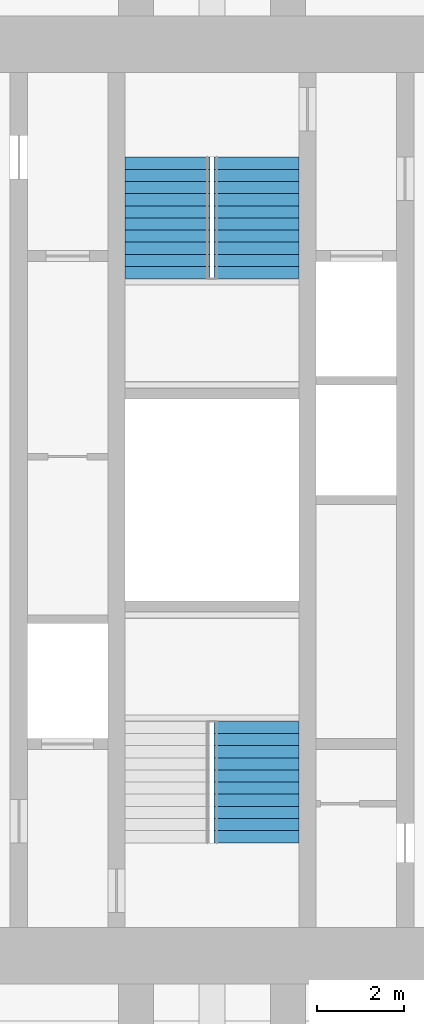
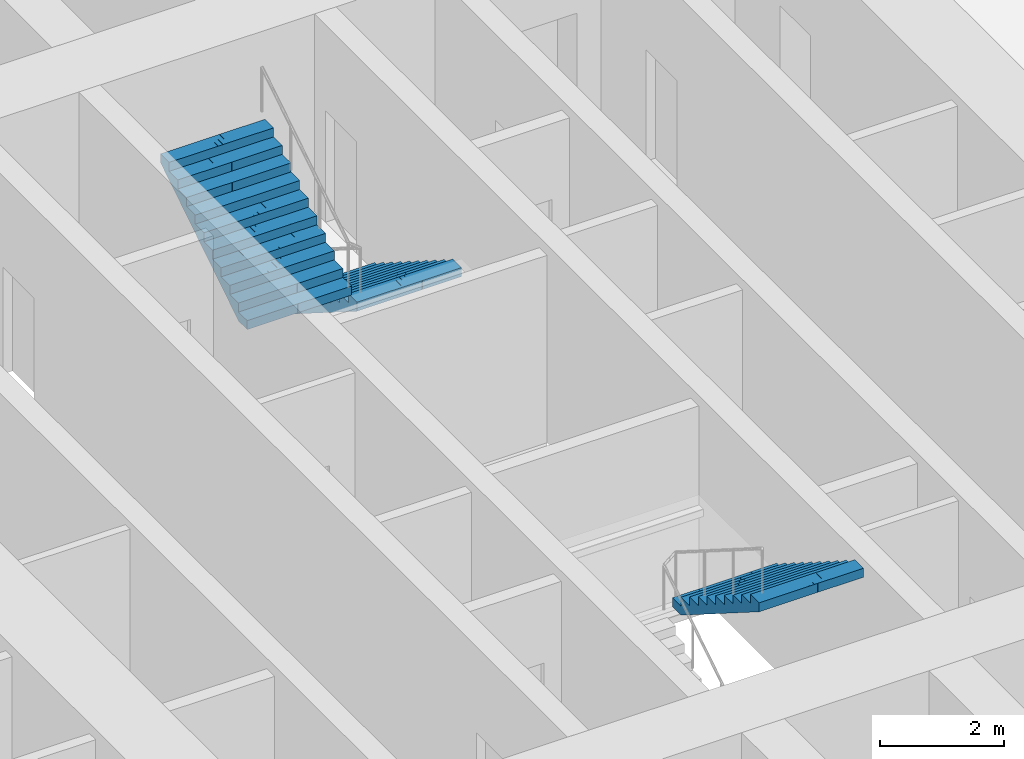
# One storey, part 16 of 17: 3 stair flights, 2 elements without a shape of their own.
"""IFC4 building model written with IfcOpenShell, lengths in metres."""

from ifc_helpers import new_model, si_unit, direction, frame, origin, place, context, subcontext, project, spatial, polyline, outline, extrude, material, type_object, element, aggregate, save


model = new_model("IFC4")

# Units and contexts
model_context = context("Model", 3, precision=1e-05, world=origin(), true_north=direction((0.0, 1.0)))
body_context = subcontext(model_context, "Body", "Model", "MODEL_VIEW")
ifc_project = project(units=[si_unit("LENGTHUNIT", "METRE"), si_unit("AREAUNIT", "SQUARE_METRE"), si_unit("VOLUMEUNIT", "CUBIC_METRE"), si_unit("PLANEANGLEUNIT", "RADIAN"), si_unit("MASSUNIT", "GRAM", prefix="KILO")], contexts=[model_context])

# Site, building, storey
site_placement = place(None, origin())
site = spatial("IfcSite", under=ifc_project, at=site_placement, CompositionType="ELEMENT")
building_placement = place(site_placement, origin())
building = spatial("IfcBuilding", under=site, at=building_placement, Name="Mizan Broadcast Tower", CompositionType="ELEMENT")
storey_placement = place(building_placement, frame((0.0, 0.0, 224.39990234375)))
storey = spatial("IfcBuildingStorey", under=building, at=storey_placement, Name="L52", CompositionType="ELEMENT", Elevation=224.39990234375)

# Stair, stair flight
ifc_material_1 = material(Name="Concrete C40/50", Category="concrete")
stair_type = type_object("IfcStairType", Name="EXIT STAIR", PredefinedType="HALF_TURN_STAIR", material=ifc_material_1)
stair_1_placement = place(storey_placement, origin())
stair_1 = element("IfcStair", 1, at=stair_1_placement, inside=storey, type_object=stair_type, Name="Stair A L52", PredefinedType="HALF_TURN_STAIR")
ifc_material_2 = material(Name="Concrete C40/50", Category="concrete")
stair_flight_type = type_object("IfcStairFlightType", Name="EXIT STAIR FLIGHT", PredefinedType="STRAIGHT", material=ifc_material_2)
stair_flight_1_placement = place(storey_placement, frame((1.02490234375, -5.10009765625, 1.9501953125), z_axis=(0.0, 0.0, 1.0), x_axis=(0.0, -1.0, 0.0)))
stair_flight_1 = element("IfcStairFlight", 2, at=stair_flight_1_placement, type_object=stair_flight_type, Name="A flight 2", NumberOfRisers=11, NumberOfTreads=10, PredefinedType="STRAIGHT", RiserHeight=0.177272727, TreadLength=0.28, context=body_context, shape_type="SweptSolid", body=[
    extrude(outline(polyline([(0.0, 0.0), (0.0, 0.17724609375), (0.280029296875, 0.17724609375), (0.280029296875, 0.3544921875), (0.56005859375, 0.3544921875), (0.56005859375, 0.53173828125), (0.840087890625, 0.53173828125), (0.840087890625, 0.708984375), (1.1201171875, 0.708984375), (1.1201171875, 0.886474609375), (1.39990234375, 0.886474609375), (1.39990234375, 1.063720703125), (1.679931640625, 1.063720703125), (1.679931640625, 1.240966796875), (1.9599609375, 1.240966796875), (1.9599609375, 1.418212890625), (2.239990234375, 1.418212890625), (2.239990234375, 1.595458984375), (2.52001953125, 1.595458984375), (2.52001953125, 1.772705078125), (2.800048828125, 1.772705078125), (2.800048828125, 1.949951171875), (2.800048828125, 1.59521484375), (0.2802734375, 0.0), (0.0, 0.0)])), frame((0.0, 0.97509765625, 0.0), z_axis=(0.0, -1.0, 0.0), x_axis=(1.0, 0.0, 0.0)), (0.0, 0.0, 1.0), 0.4873046875),
    extrude(outline(polyline([(0.0, 0.0), (0.0, 0.17724609375), (0.280029296875, 0.17724609375), (0.280029296875, 0.3544921875), (0.56005859375, 0.3544921875), (0.56005859375, 0.53173828125), (0.840087890625, 0.53173828125), (0.840087890625, 0.708984375), (1.1201171875, 0.708984375), (1.1201171875, 0.886474609375), (1.39990234375, 0.886474609375), (1.39990234375, 1.063720703125), (1.679931640625, 1.063720703125), (1.679931640625, 1.240966796875), (1.9599609375, 1.240966796875), (1.9599609375, 1.418212890625), (2.239990234375, 1.418212890625), (2.239990234375, 1.595458984375), (2.52001953125, 1.595458984375), (2.52001953125, 1.772705078125), (2.800048828125, 1.772705078125), (2.800048828125, 1.949951171875), (2.800048828125, 1.59521484375), (0.2802734375, 0.0), (0.0, 0.0)])), frame((0.0, 0.4873046875, 0.0), z_axis=(0.0, -1.0, 0.0), x_axis=(1.0, 0.0, 0.0)), (0.0, 0.0, 1.0), 0.2431640625),
    extrude(outline(polyline([(0.0, 0.0), (0.0, 0.17724609375), (0.280029296875, 0.17724609375), (0.280029296875, 0.3544921875), (0.56005859375, 0.3544921875), (0.56005859375, 0.53173828125), (0.840087890625, 0.53173828125), (0.840087890625, 0.708984375), (1.1201171875, 0.708984375), (1.1201171875, 0.886474609375), (1.39990234375, 0.886474609375), (1.39990234375, 1.063720703125), (1.679931640625, 1.063720703125), (1.679931640625, 1.240966796875), (1.9599609375, 1.240966796875), (1.9599609375, 1.418212890625), (2.239990234375, 1.418212890625), (2.239990234375, 1.595458984375), (2.52001953125, 1.595458984375), (2.52001953125, 1.772705078125), (2.800048828125, 1.772705078125), (2.800048828125, 1.949951171875), (2.800048828125, 1.59521484375), (0.2802734375, 0.0), (0.0, 0.0)])), frame((0.0, 0.24365234375, 0.0), z_axis=(0.0, -1.0, 0.0), x_axis=(1.0, 0.0, 0.0)), (0.0, 0.0, 1.0), 0.121337890625),
    extrude(outline(polyline([(0.0, 0.0), (0.0, 0.17724609375), (0.280029296875, 0.17724609375), (0.280029296875, 0.3544921875), (0.56005859375, 0.3544921875), (0.56005859375, 0.53173828125), (0.840087890625, 0.53173828125), (0.840087890625, 0.708984375), (1.1201171875, 0.708984375), (1.1201171875, 0.886474609375), (1.39990234375, 0.886474609375), (1.39990234375, 1.063720703125), (1.679931640625, 1.063720703125), (1.679931640625, 1.240966796875), (1.9599609375, 1.240966796875), (1.9599609375, 1.418212890625), (2.239990234375, 1.418212890625), (2.239990234375, 1.595458984375), (2.52001953125, 1.595458984375), (2.52001953125, 1.772705078125), (2.800048828125, 1.772705078125), (2.800048828125, 1.949951171875), (2.800048828125, 1.59521484375), (0.2802734375, 0.0), (0.0, 0.0)])), frame((0.0, 0.121826171875, 0.0), z_axis=(0.0, -1.0, 0.0), x_axis=(1.0, 0.0, 0.0)), (0.0, 0.0, 1.0), 0.060546875),
    extrude(outline(polyline([(0.0, 0.0), (0.0, 0.17724609375), (0.280029296875, 0.17724609375), (0.280029296875, 0.3544921875), (0.56005859375, 0.3544921875), (0.56005859375, 0.53173828125), (0.840087890625, 0.53173828125), (0.840087890625, 0.708984375), (1.1201171875, 0.708984375), (1.1201171875, 0.886474609375), (1.39990234375, 0.886474609375), (1.39990234375, 1.063720703125), (1.679931640625, 1.063720703125), (1.679931640625, 1.240966796875), (1.9599609375, 1.240966796875), (1.9599609375, 1.418212890625), (2.239990234375, 1.418212890625), (2.239990234375, 1.595458984375), (2.52001953125, 1.595458984375), (2.52001953125, 1.772705078125), (2.800048828125, 1.772705078125), (2.800048828125, 1.949951171875), (2.800048828125, 1.59521484375), (0.2802734375, 0.0), (0.0, 0.0)])), frame((0.0, 0.060791015625, 0.0), z_axis=(0.0, -1.0, 0.0), x_axis=(1.0, 0.0, 0.0)), (0.0, 0.0, 1.0), 0.030029296875),
    extrude(outline(polyline([(0.0, 0.0), (0.0, 0.17724609375), (0.280029296875, 0.17724609375), (0.280029296875, 0.3544921875), (0.56005859375, 0.3544921875), (0.56005859375, 0.53173828125), (0.840087890625, 0.53173828125), (0.840087890625, 0.708984375), (1.1201171875, 0.708984375), (1.1201171875, 0.886474609375), (1.39990234375, 0.886474609375), (1.39990234375, 1.063720703125), (1.679931640625, 1.063720703125), (1.679931640625, 1.240966796875), (1.9599609375, 1.240966796875), (1.9599609375, 1.418212890625), (2.239990234375, 1.418212890625), (2.239990234375, 1.595458984375), (2.52001953125, 1.595458984375), (2.52001953125, 1.772705078125), (2.800048828125, 1.772705078125), (2.800048828125, 1.949951171875), (2.800048828125, 1.59521484375), (0.2802734375, 0.0), (0.0, 0.0)])), frame((0.0, 0.0302734375, 0.0), z_axis=(0.0, -1.0, 0.0), x_axis=(1.0, 0.0, 0.0)), (0.0, 0.0, 1.0), 0.060302734375),
    extrude(outline(polyline([(0.0, 0.0), (0.0, 0.17724609375), (0.280029296875, 0.17724609375), (0.280029296875, 0.3544921875), (0.56005859375, 0.3544921875), (0.56005859375, 0.53173828125), (0.840087890625, 0.53173828125), (0.840087890625, 0.708984375), (1.1201171875, 0.708984375), (1.1201171875, 0.886474609375), (1.39990234375, 0.886474609375), (1.39990234375, 1.063720703125), (1.679931640625, 1.063720703125), (1.679931640625, 1.240966796875), (1.9599609375, 1.240966796875), (1.9599609375, 1.418212890625), (2.239990234375, 1.418212890625), (2.239990234375, 1.595458984375), (2.52001953125, 1.595458984375), (2.52001953125, 1.772705078125), (2.800048828125, 1.772705078125), (2.800048828125, 1.949951171875), (2.800048828125, 1.59521484375), (0.2802734375, 0.0), (0.0, 0.0)])), frame((0.0, -0.030517578125, 0.0), z_axis=(0.0, -1.0, 0.0), x_axis=(1.0, 0.0, 0.0)), (0.0, 0.0, 1.0), 0.030029296875),
    extrude(outline(polyline([(0.0, 0.0), (0.0, 0.17724609375), (0.280029296875, 0.17724609375), (0.280029296875, 0.3544921875), (0.56005859375, 0.3544921875), (0.56005859375, 0.53173828125), (0.840087890625, 0.53173828125), (0.840087890625, 0.708984375), (1.1201171875, 0.708984375), (1.1201171875, 0.886474609375), (1.39990234375, 0.886474609375), (1.39990234375, 1.063720703125), (1.679931640625, 1.063720703125), (1.679931640625, 1.240966796875), (1.9599609375, 1.240966796875), (1.9599609375, 1.418212890625), (2.239990234375, 1.418212890625), (2.239990234375, 1.595458984375), (2.52001953125, 1.595458984375), (2.52001953125, 1.772705078125), (2.800048828125, 1.772705078125), (2.800048828125, 1.949951171875), (2.800048828125, 1.59521484375), (0.2802734375, 0.0), (0.0, 0.0)])), frame((0.0, -0.06103515625, 0.0), z_axis=(0.0, -1.0, 0.0), x_axis=(1.0, 0.0, 0.0)), (0.0, 0.0, 1.0), 0.060546875),
    extrude(outline(polyline([(0.0, 0.0), (0.0, 0.17724609375), (0.280029296875, 0.17724609375), (0.280029296875, 0.3544921875), (0.56005859375, 0.3544921875), (0.56005859375, 0.53173828125), (0.840087890625, 0.53173828125), (0.840087890625, 0.708984375), (1.1201171875, 0.708984375), (1.1201171875, 0.886474609375), (1.39990234375, 0.886474609375), (1.39990234375, 1.063720703125), (1.679931640625, 1.063720703125), (1.679931640625, 1.240966796875), (1.9599609375, 1.240966796875), (1.9599609375, 1.418212890625), (2.239990234375, 1.418212890625), (2.239990234375, 1.595458984375), (2.52001953125, 1.595458984375), (2.52001953125, 1.772705078125), (2.800048828125, 1.772705078125), (2.800048828125, 1.949951171875), (2.800048828125, 1.59521484375), (0.2802734375, 0.0), (0.0, 0.0)])), frame((0.0, -0.1220703125, 0.0), z_axis=(0.0, -1.0, 0.0), x_axis=(1.0, 0.0, 0.0)), (0.0, 0.0, 1.0), 0.121337890625),
    extrude(outline(polyline([(0.0, 0.0), (0.0, 0.17724609375), (0.280029296875, 0.17724609375), (0.280029296875, 0.3544921875), (0.56005859375, 0.3544921875), (0.56005859375, 0.53173828125), (0.840087890625, 0.53173828125), (0.840087890625, 0.708984375), (1.1201171875, 0.708984375), (1.1201171875, 0.886474609375), (1.39990234375, 0.886474609375), (1.39990234375, 1.063720703125), (1.679931640625, 1.063720703125), (1.679931640625, 1.240966796875), (1.9599609375, 1.240966796875), (1.9599609375, 1.418212890625), (2.239990234375, 1.418212890625), (2.239990234375, 1.595458984375), (2.52001953125, 1.595458984375), (2.52001953125, 1.772705078125), (2.800048828125, 1.772705078125), (2.800048828125, 1.949951171875), (2.800048828125, 1.59521484375), (0.2802734375, 0.0), (0.0, 0.0)])), frame((0.0, -0.243896484375, 0.0), z_axis=(0.0, -1.0, 0.0), x_axis=(1.0, 0.0, 0.0)), (0.0, 0.0, 1.0), 0.2431640625),
    extrude(outline(polyline([(0.0, 0.0), (0.0, 0.17724609375), (0.280029296875, 0.17724609375), (0.280029296875, 0.3544921875), (0.56005859375, 0.3544921875), (0.56005859375, 0.53173828125), (0.840087890625, 0.53173828125), (0.840087890625, 0.708984375), (1.1201171875, 0.708984375), (1.1201171875, 0.886474609375), (1.39990234375, 0.886474609375), (1.39990234375, 1.063720703125), (1.679931640625, 1.063720703125), (1.679931640625, 1.240966796875), (1.9599609375, 1.240966796875), (1.9599609375, 1.418212890625), (2.239990234375, 1.418212890625), (2.239990234375, 1.595458984375), (2.52001953125, 1.595458984375), (2.52001953125, 1.772705078125), (2.800048828125, 1.772705078125), (2.800048828125, 1.949951171875), (2.800048828125, 1.59521484375), (0.2802734375, 0.0), (0.0, 0.0)])), frame((0.0, -0.487548828125, 0.0), z_axis=(0.0, -1.0, 0.0), x_axis=(1.0, 0.0, 0.0)), (0.0, 0.0, 1.0), 0.4873046875),
])
aggregate(stair_1, [stair_flight_1])

# Stair, stair flights
stair_2_placement = place(storey_placement, origin())
stair_2 = element("IfcStair", 3, at=stair_2_placement, inside=storey, type_object=stair_type, Name="Stair B L52", PredefinedType="HALF_TURN_STAIR")
stair_flight_2_placement = place(storey_placement, frame((1.02490234375, 7.89990234375, 0.0), z_axis=(0.0, 0.0, 1.0), x_axis=(0.0, -1.0, 0.0)))
stair_flight_2 = element("IfcStairFlight", 4, at=stair_flight_2_placement, type_object=stair_flight_type, Name="B flight 1", NumberOfRisers=11, NumberOfTreads=10, PredefinedType="STRAIGHT", RiserHeight=0.177272727, TreadLength=0.28, context=body_context, shape_type="SweptSolid", body=[
    extrude(outline(polyline([(0.0, 0.0), (0.0, 0.17724609375), (0.280029296875, 0.17724609375), (0.280029296875, 0.3544921875), (0.56005859375, 0.3544921875), (0.56005859375, 0.53173828125), (0.840087890625, 0.53173828125), (0.840087890625, 0.708984375), (1.1201171875, 0.708984375), (1.1201171875, 0.886474609375), (1.39990234375, 0.886474609375), (1.39990234375, 1.063720703125), (1.679931640625, 1.063720703125), (1.679931640625, 1.240966796875), (1.9599609375, 1.240966796875), (1.9599609375, 1.418212890625), (2.239990234375, 1.418212890625), (2.239990234375, 1.595458984375), (2.52001953125, 1.595458984375), (2.52001953125, 1.772705078125), (2.800048828125, 1.772705078125), (2.800048828125, 1.949951171875), (2.800048828125, 1.59521484375), (0.2802734375, 0.0), (0.0, 0.0)])), frame((0.0, 0.97509765625, 0.0), z_axis=(0.0, -1.0, 0.0), x_axis=(1.0, 0.0, 0.0)), (0.0, 0.0, 1.0), 0.4873046875),
    extrude(outline(polyline([(0.0, 0.0), (0.0, 0.17724609375), (0.280029296875, 0.17724609375), (0.280029296875, 0.3544921875), (0.56005859375, 0.3544921875), (0.56005859375, 0.53173828125), (0.840087890625, 0.53173828125), (0.840087890625, 0.708984375), (1.1201171875, 0.708984375), (1.1201171875, 0.886474609375), (1.39990234375, 0.886474609375), (1.39990234375, 1.063720703125), (1.679931640625, 1.063720703125), (1.679931640625, 1.240966796875), (1.9599609375, 1.240966796875), (1.9599609375, 1.418212890625), (2.239990234375, 1.418212890625), (2.239990234375, 1.595458984375), (2.52001953125, 1.595458984375), (2.52001953125, 1.772705078125), (2.800048828125, 1.772705078125), (2.800048828125, 1.949951171875), (2.800048828125, 1.59521484375), (0.2802734375, 0.0), (0.0, 0.0)])), frame((0.0, 0.4873046875, 0.0), z_axis=(0.0, -1.0, 0.0), x_axis=(1.0, 0.0, 0.0)), (0.0, 0.0, 1.0), 0.2431640625),
    extrude(outline(polyline([(0.0, 0.0), (0.0, 0.17724609375), (0.280029296875, 0.17724609375), (0.280029296875, 0.3544921875), (0.56005859375, 0.3544921875), (0.56005859375, 0.53173828125), (0.840087890625, 0.53173828125), (0.840087890625, 0.708984375), (1.1201171875, 0.708984375), (1.1201171875, 0.886474609375), (1.39990234375, 0.886474609375), (1.39990234375, 1.063720703125), (1.679931640625, 1.063720703125), (1.679931640625, 1.240966796875), (1.9599609375, 1.240966796875), (1.9599609375, 1.418212890625), (2.239990234375, 1.418212890625), (2.239990234375, 1.595458984375), (2.52001953125, 1.595458984375), (2.52001953125, 1.772705078125), (2.800048828125, 1.772705078125), (2.800048828125, 1.949951171875), (2.800048828125, 1.59521484375), (0.2802734375, 0.0), (0.0, 0.0)])), frame((0.0, 0.24365234375, 0.0), z_axis=(0.0, -1.0, 0.0), x_axis=(1.0, 0.0, 0.0)), (0.0, 0.0, 1.0), 0.121337890625),
    extrude(outline(polyline([(0.0, 0.0), (0.0, 0.17724609375), (0.280029296875, 0.17724609375), (0.280029296875, 0.3544921875), (0.56005859375, 0.3544921875), (0.56005859375, 0.53173828125), (0.840087890625, 0.53173828125), (0.840087890625, 0.708984375), (1.1201171875, 0.708984375), (1.1201171875, 0.886474609375), (1.39990234375, 0.886474609375), (1.39990234375, 1.063720703125), (1.679931640625, 1.063720703125), (1.679931640625, 1.240966796875), (1.9599609375, 1.240966796875), (1.9599609375, 1.418212890625), (2.239990234375, 1.418212890625), (2.239990234375, 1.595458984375), (2.52001953125, 1.595458984375), (2.52001953125, 1.772705078125), (2.800048828125, 1.772705078125), (2.800048828125, 1.949951171875), (2.800048828125, 1.59521484375), (0.2802734375, 0.0), (0.0, 0.0)])), frame((0.0, 0.121826171875, 0.0), z_axis=(0.0, -1.0, 0.0), x_axis=(1.0, 0.0, 0.0)), (0.0, 0.0, 1.0), 0.060546875),
    extrude(outline(polyline([(0.0, 0.0), (0.0, 0.17724609375), (0.280029296875, 0.17724609375), (0.280029296875, 0.3544921875), (0.56005859375, 0.3544921875), (0.56005859375, 0.53173828125), (0.840087890625, 0.53173828125), (0.840087890625, 0.708984375), (1.1201171875, 0.708984375), (1.1201171875, 0.886474609375), (1.39990234375, 0.886474609375), (1.39990234375, 1.063720703125), (1.679931640625, 1.063720703125), (1.679931640625, 1.240966796875), (1.9599609375, 1.240966796875), (1.9599609375, 1.418212890625), (2.239990234375, 1.418212890625), (2.239990234375, 1.595458984375), (2.52001953125, 1.595458984375), (2.52001953125, 1.772705078125), (2.800048828125, 1.772705078125), (2.800048828125, 1.949951171875), (2.800048828125, 1.59521484375), (0.2802734375, 0.0), (0.0, 0.0)])), frame((0.0, 0.060791015625, 0.0), z_axis=(0.0, -1.0, 0.0), x_axis=(1.0, 0.0, 0.0)), (0.0, 0.0, 1.0), 0.030029296875),
    extrude(outline(polyline([(0.0, 0.0), (0.0, 0.17724609375), (0.280029296875, 0.17724609375), (0.280029296875, 0.3544921875), (0.56005859375, 0.3544921875), (0.56005859375, 0.53173828125), (0.840087890625, 0.53173828125), (0.840087890625, 0.708984375), (1.1201171875, 0.708984375), (1.1201171875, 0.886474609375), (1.39990234375, 0.886474609375), (1.39990234375, 1.063720703125), (1.679931640625, 1.063720703125), (1.679931640625, 1.240966796875), (1.9599609375, 1.240966796875), (1.9599609375, 1.418212890625), (2.239990234375, 1.418212890625), (2.239990234375, 1.595458984375), (2.52001953125, 1.595458984375), (2.52001953125, 1.772705078125), (2.800048828125, 1.772705078125), (2.800048828125, 1.949951171875), (2.800048828125, 1.59521484375), (0.2802734375, 0.0), (0.0, 0.0)])), frame((0.0, 0.0302734375, 0.0), z_axis=(0.0, -1.0, 0.0), x_axis=(1.0, 0.0, 0.0)), (0.0, 0.0, 1.0), 0.060302734375),
    extrude(outline(polyline([(0.0, 0.0), (0.0, 0.17724609375), (0.280029296875, 0.17724609375), (0.280029296875, 0.3544921875), (0.56005859375, 0.3544921875), (0.56005859375, 0.53173828125), (0.840087890625, 0.53173828125), (0.840087890625, 0.708984375), (1.1201171875, 0.708984375), (1.1201171875, 0.886474609375), (1.39990234375, 0.886474609375), (1.39990234375, 1.063720703125), (1.679931640625, 1.063720703125), (1.679931640625, 1.240966796875), (1.9599609375, 1.240966796875), (1.9599609375, 1.418212890625), (2.239990234375, 1.418212890625), (2.239990234375, 1.595458984375), (2.52001953125, 1.595458984375), (2.52001953125, 1.772705078125), (2.800048828125, 1.772705078125), (2.800048828125, 1.949951171875), (2.800048828125, 1.59521484375), (0.2802734375, 0.0), (0.0, 0.0)])), frame((0.0, -0.030517578125, 0.0), z_axis=(0.0, -1.0, 0.0), x_axis=(1.0, 0.0, 0.0)), (0.0, 0.0, 1.0), 0.030029296875),
    extrude(outline(polyline([(0.0, 0.0), (0.0, 0.17724609375), (0.280029296875, 0.17724609375), (0.280029296875, 0.3544921875), (0.56005859375, 0.3544921875), (0.56005859375, 0.53173828125), (0.840087890625, 0.53173828125), (0.840087890625, 0.708984375), (1.1201171875, 0.708984375), (1.1201171875, 0.886474609375), (1.39990234375, 0.886474609375), (1.39990234375, 1.063720703125), (1.679931640625, 1.063720703125), (1.679931640625, 1.240966796875), (1.9599609375, 1.240966796875), (1.9599609375, 1.418212890625), (2.239990234375, 1.418212890625), (2.239990234375, 1.595458984375), (2.52001953125, 1.595458984375), (2.52001953125, 1.772705078125), (2.800048828125, 1.772705078125), (2.800048828125, 1.949951171875), (2.800048828125, 1.59521484375), (0.2802734375, 0.0), (0.0, 0.0)])), frame((0.0, -0.06103515625, 0.0), z_axis=(0.0, -1.0, 0.0), x_axis=(1.0, 0.0, 0.0)), (0.0, 0.0, 1.0), 0.060546875),
    extrude(outline(polyline([(0.0, 0.0), (0.0, 0.17724609375), (0.280029296875, 0.17724609375), (0.280029296875, 0.3544921875), (0.56005859375, 0.3544921875), (0.56005859375, 0.53173828125), (0.840087890625, 0.53173828125), (0.840087890625, 0.708984375), (1.1201171875, 0.708984375), (1.1201171875, 0.886474609375), (1.39990234375, 0.886474609375), (1.39990234375, 1.063720703125), (1.679931640625, 1.063720703125), (1.679931640625, 1.240966796875), (1.9599609375, 1.240966796875), (1.9599609375, 1.418212890625), (2.239990234375, 1.418212890625), (2.239990234375, 1.595458984375), (2.52001953125, 1.595458984375), (2.52001953125, 1.772705078125), (2.800048828125, 1.772705078125), (2.800048828125, 1.949951171875), (2.800048828125, 1.59521484375), (0.2802734375, 0.0), (0.0, 0.0)])), frame((0.0, -0.1220703125, 0.0), z_axis=(0.0, -1.0, 0.0), x_axis=(1.0, 0.0, 0.0)), (0.0, 0.0, 1.0), 0.121337890625),
    extrude(outline(polyline([(0.0, 0.0), (0.0, 0.17724609375), (0.280029296875, 0.17724609375), (0.280029296875, 0.3544921875), (0.56005859375, 0.3544921875), (0.56005859375, 0.53173828125), (0.840087890625, 0.53173828125), (0.840087890625, 0.708984375), (1.1201171875, 0.708984375), (1.1201171875, 0.886474609375), (1.39990234375, 0.886474609375), (1.39990234375, 1.063720703125), (1.679931640625, 1.063720703125), (1.679931640625, 1.240966796875), (1.9599609375, 1.240966796875), (1.9599609375, 1.418212890625), (2.239990234375, 1.418212890625), (2.239990234375, 1.595458984375), (2.52001953125, 1.595458984375), (2.52001953125, 1.772705078125), (2.800048828125, 1.772705078125), (2.800048828125, 1.949951171875), (2.800048828125, 1.59521484375), (0.2802734375, 0.0), (0.0, 0.0)])), frame((0.0, -0.243896484375, 0.0), z_axis=(0.0, -1.0, 0.0), x_axis=(1.0, 0.0, 0.0)), (0.0, 0.0, 1.0), 0.2431640625),
    extrude(outline(polyline([(0.0, 0.0), (0.0, 0.17724609375), (0.280029296875, 0.17724609375), (0.280029296875, 0.3544921875), (0.56005859375, 0.3544921875), (0.56005859375, 0.53173828125), (0.840087890625, 0.53173828125), (0.840087890625, 0.708984375), (1.1201171875, 0.708984375), (1.1201171875, 0.886474609375), (1.39990234375, 0.886474609375), (1.39990234375, 1.063720703125), (1.679931640625, 1.063720703125), (1.679931640625, 1.240966796875), (1.9599609375, 1.240966796875), (1.9599609375, 1.418212890625), (2.239990234375, 1.418212890625), (2.239990234375, 1.595458984375), (2.52001953125, 1.595458984375), (2.52001953125, 1.772705078125), (2.800048828125, 1.772705078125), (2.800048828125, 1.949951171875), (2.800048828125, 1.59521484375), (0.2802734375, 0.0), (0.0, 0.0)])), frame((0.0, -0.487548828125, 0.0), z_axis=(0.0, -1.0, 0.0), x_axis=(1.0, 0.0, 0.0)), (0.0, 0.0, 1.0), 0.4873046875),
])
stair_flight_3_placement = place(storey_placement, frame((-1.02490234375, 5.10009765625, 1.9501953125), z_axis=(0.0, 0.0, 1.0), x_axis=(0.0, 1.0, 0.0)))
stair_flight_3 = element("IfcStairFlight", 5, at=stair_flight_3_placement, type_object=stair_flight_type, Name="B flight 2", NumberOfRisers=11, NumberOfTreads=10, PredefinedType="STRAIGHT", RiserHeight=0.177272727, TreadLength=0.28, context=body_context, shape_type="SweptSolid", body=[
    extrude(outline(polyline([(0.0, 0.0), (0.0, 0.17724609375), (0.280029296875, 0.17724609375), (0.280029296875, 0.3544921875), (0.56005859375, 0.3544921875), (0.56005859375, 0.53173828125), (0.840087890625, 0.53173828125), (0.840087890625, 0.708984375), (1.1201171875, 0.708984375), (1.1201171875, 0.886474609375), (1.39990234375, 0.886474609375), (1.39990234375, 1.063720703125), (1.679931640625, 1.063720703125), (1.679931640625, 1.240966796875), (1.9599609375, 1.240966796875), (1.9599609375, 1.418212890625), (2.239990234375, 1.418212890625), (2.239990234375, 1.595458984375), (2.52001953125, 1.595458984375), (2.52001953125, 1.772705078125), (2.800048828125, 1.772705078125), (2.800048828125, 1.949951171875), (2.800048828125, 1.59521484375), (0.2802734375, 0.0), (0.0, 0.0)])), frame((0.0, 0.97509765625, 0.0), z_axis=(0.0, -1.0, 0.0), x_axis=(1.0, 0.0, 0.0)), (0.0, 0.0, 1.0), 0.4873046875),
    extrude(outline(polyline([(0.0, 0.0), (0.0, 0.17724609375), (0.280029296875, 0.17724609375), (0.280029296875, 0.3544921875), (0.56005859375, 0.3544921875), (0.56005859375, 0.53173828125), (0.840087890625, 0.53173828125), (0.840087890625, 0.708984375), (1.1201171875, 0.708984375), (1.1201171875, 0.886474609375), (1.39990234375, 0.886474609375), (1.39990234375, 1.063720703125), (1.679931640625, 1.063720703125), (1.679931640625, 1.240966796875), (1.9599609375, 1.240966796875), (1.9599609375, 1.418212890625), (2.239990234375, 1.418212890625), (2.239990234375, 1.595458984375), (2.52001953125, 1.595458984375), (2.52001953125, 1.772705078125), (2.800048828125, 1.772705078125), (2.800048828125, 1.949951171875), (2.800048828125, 1.59521484375), (0.2802734375, 0.0), (0.0, 0.0)])), frame((0.0, 0.4873046875, 0.0), z_axis=(0.0, -1.0, 0.0), x_axis=(1.0, 0.0, 0.0)), (0.0, 0.0, 1.0), 0.2431640625),
    extrude(outline(polyline([(0.0, 0.0), (0.0, 0.17724609375), (0.280029296875, 0.17724609375), (0.280029296875, 0.3544921875), (0.56005859375, 0.3544921875), (0.56005859375, 0.53173828125), (0.840087890625, 0.53173828125), (0.840087890625, 0.708984375), (1.1201171875, 0.708984375), (1.1201171875, 0.886474609375), (1.39990234375, 0.886474609375), (1.39990234375, 1.063720703125), (1.679931640625, 1.063720703125), (1.679931640625, 1.240966796875), (1.9599609375, 1.240966796875), (1.9599609375, 1.418212890625), (2.239990234375, 1.418212890625), (2.239990234375, 1.595458984375), (2.52001953125, 1.595458984375), (2.52001953125, 1.772705078125), (2.800048828125, 1.772705078125), (2.800048828125, 1.949951171875), (2.800048828125, 1.59521484375), (0.2802734375, 0.0), (0.0, 0.0)])), frame((0.0, 0.24365234375, 0.0), z_axis=(0.0, -1.0, 0.0), x_axis=(1.0, 0.0, 0.0)), (0.0, 0.0, 1.0), 0.121337890625),
    extrude(outline(polyline([(0.0, 0.0), (0.0, 0.17724609375), (0.280029296875, 0.17724609375), (0.280029296875, 0.3544921875), (0.56005859375, 0.3544921875), (0.56005859375, 0.53173828125), (0.840087890625, 0.53173828125), (0.840087890625, 0.708984375), (1.1201171875, 0.708984375), (1.1201171875, 0.886474609375), (1.39990234375, 0.886474609375), (1.39990234375, 1.063720703125), (1.679931640625, 1.063720703125), (1.679931640625, 1.240966796875), (1.9599609375, 1.240966796875), (1.9599609375, 1.418212890625), (2.239990234375, 1.418212890625), (2.239990234375, 1.595458984375), (2.52001953125, 1.595458984375), (2.52001953125, 1.772705078125), (2.800048828125, 1.772705078125), (2.800048828125, 1.949951171875), (2.800048828125, 1.59521484375), (0.2802734375, 0.0), (0.0, 0.0)])), frame((0.0, 0.121826171875, 0.0), z_axis=(0.0, -1.0, 0.0), x_axis=(1.0, 0.0, 0.0)), (0.0, 0.0, 1.0), 0.060546875),
    extrude(outline(polyline([(0.0, 0.0), (0.0, 0.17724609375), (0.280029296875, 0.17724609375), (0.280029296875, 0.3544921875), (0.56005859375, 0.3544921875), (0.56005859375, 0.53173828125), (0.840087890625, 0.53173828125), (0.840087890625, 0.708984375), (1.1201171875, 0.708984375), (1.1201171875, 0.886474609375), (1.39990234375, 0.886474609375), (1.39990234375, 1.063720703125), (1.679931640625, 1.063720703125), (1.679931640625, 1.240966796875), (1.9599609375, 1.240966796875), (1.9599609375, 1.418212890625), (2.239990234375, 1.418212890625), (2.239990234375, 1.595458984375), (2.52001953125, 1.595458984375), (2.52001953125, 1.772705078125), (2.800048828125, 1.772705078125), (2.800048828125, 1.949951171875), (2.800048828125, 1.59521484375), (0.2802734375, 0.0), (0.0, 0.0)])), frame((0.0, 0.060791015625, 0.0), z_axis=(0.0, -1.0, 0.0), x_axis=(1.0, 0.0, 0.0)), (0.0, 0.0, 1.0), 0.030029296875),
    extrude(outline(polyline([(0.0, 0.0), (0.0, 0.17724609375), (0.280029296875, 0.17724609375), (0.280029296875, 0.3544921875), (0.56005859375, 0.3544921875), (0.56005859375, 0.53173828125), (0.840087890625, 0.53173828125), (0.840087890625, 0.708984375), (1.1201171875, 0.708984375), (1.1201171875, 0.886474609375), (1.39990234375, 0.886474609375), (1.39990234375, 1.063720703125), (1.679931640625, 1.063720703125), (1.679931640625, 1.240966796875), (1.9599609375, 1.240966796875), (1.9599609375, 1.418212890625), (2.239990234375, 1.418212890625), (2.239990234375, 1.595458984375), (2.52001953125, 1.595458984375), (2.52001953125, 1.772705078125), (2.800048828125, 1.772705078125), (2.800048828125, 1.949951171875), (2.800048828125, 1.59521484375), (0.2802734375, 0.0), (0.0, 0.0)])), frame((0.0, 0.0302734375, 0.0), z_axis=(0.0, -1.0, 0.0), x_axis=(1.0, 0.0, 0.0)), (0.0, 0.0, 1.0), 0.060302734375),
    extrude(outline(polyline([(0.0, 0.0), (0.0, 0.17724609375), (0.280029296875, 0.17724609375), (0.280029296875, 0.3544921875), (0.56005859375, 0.3544921875), (0.56005859375, 0.53173828125), (0.840087890625, 0.53173828125), (0.840087890625, 0.708984375), (1.1201171875, 0.708984375), (1.1201171875, 0.886474609375), (1.39990234375, 0.886474609375), (1.39990234375, 1.063720703125), (1.679931640625, 1.063720703125), (1.679931640625, 1.240966796875), (1.9599609375, 1.240966796875), (1.9599609375, 1.418212890625), (2.239990234375, 1.418212890625), (2.239990234375, 1.595458984375), (2.52001953125, 1.595458984375), (2.52001953125, 1.772705078125), (2.800048828125, 1.772705078125), (2.800048828125, 1.949951171875), (2.800048828125, 1.59521484375), (0.2802734375, 0.0), (0.0, 0.0)])), frame((0.0, -0.030517578125, 0.0), z_axis=(0.0, -1.0, 0.0), x_axis=(1.0, 0.0, 0.0)), (0.0, 0.0, 1.0), 0.030029296875),
    extrude(outline(polyline([(0.0, 0.0), (0.0, 0.17724609375), (0.280029296875, 0.17724609375), (0.280029296875, 0.3544921875), (0.56005859375, 0.3544921875), (0.56005859375, 0.53173828125), (0.840087890625, 0.53173828125), (0.840087890625, 0.708984375), (1.1201171875, 0.708984375), (1.1201171875, 0.886474609375), (1.39990234375, 0.886474609375), (1.39990234375, 1.063720703125), (1.679931640625, 1.063720703125), (1.679931640625, 1.240966796875), (1.9599609375, 1.240966796875), (1.9599609375, 1.418212890625), (2.239990234375, 1.418212890625), (2.239990234375, 1.595458984375), (2.52001953125, 1.595458984375), (2.52001953125, 1.772705078125), (2.800048828125, 1.772705078125), (2.800048828125, 1.949951171875), (2.800048828125, 1.59521484375), (0.2802734375, 0.0), (0.0, 0.0)])), frame((0.0, -0.06103515625, 0.0), z_axis=(0.0, -1.0, 0.0), x_axis=(1.0, 0.0, 0.0)), (0.0, 0.0, 1.0), 0.060546875),
    extrude(outline(polyline([(0.0, 0.0), (0.0, 0.17724609375), (0.280029296875, 0.17724609375), (0.280029296875, 0.3544921875), (0.56005859375, 0.3544921875), (0.56005859375, 0.53173828125), (0.840087890625, 0.53173828125), (0.840087890625, 0.708984375), (1.1201171875, 0.708984375), (1.1201171875, 0.886474609375), (1.39990234375, 0.886474609375), (1.39990234375, 1.063720703125), (1.679931640625, 1.063720703125), (1.679931640625, 1.240966796875), (1.9599609375, 1.240966796875), (1.9599609375, 1.418212890625), (2.239990234375, 1.418212890625), (2.239990234375, 1.595458984375), (2.52001953125, 1.595458984375), (2.52001953125, 1.772705078125), (2.800048828125, 1.772705078125), (2.800048828125, 1.949951171875), (2.800048828125, 1.59521484375), (0.2802734375, 0.0), (0.0, 0.0)])), frame((0.0, -0.1220703125, 0.0), z_axis=(0.0, -1.0, 0.0), x_axis=(1.0, 0.0, 0.0)), (0.0, 0.0, 1.0), 0.121337890625),
    extrude(outline(polyline([(0.0, 0.0), (0.0, 0.17724609375), (0.280029296875, 0.17724609375), (0.280029296875, 0.3544921875), (0.56005859375, 0.3544921875), (0.56005859375, 0.53173828125), (0.840087890625, 0.53173828125), (0.840087890625, 0.708984375), (1.1201171875, 0.708984375), (1.1201171875, 0.886474609375), (1.39990234375, 0.886474609375), (1.39990234375, 1.063720703125), (1.679931640625, 1.063720703125), (1.679931640625, 1.240966796875), (1.9599609375, 1.240966796875), (1.9599609375, 1.418212890625), (2.239990234375, 1.418212890625), (2.239990234375, 1.595458984375), (2.52001953125, 1.595458984375), (2.52001953125, 1.772705078125), (2.800048828125, 1.772705078125), (2.800048828125, 1.949951171875), (2.800048828125, 1.59521484375), (0.2802734375, 0.0), (0.0, 0.0)])), frame((0.0, -0.243896484375, 0.0), z_axis=(0.0, -1.0, 0.0), x_axis=(1.0, 0.0, 0.0)), (0.0, 0.0, 1.0), 0.2431640625),
    extrude(outline(polyline([(0.0, 0.0), (0.0, 0.17724609375), (0.280029296875, 0.17724609375), (0.280029296875, 0.3544921875), (0.56005859375, 0.3544921875), (0.56005859375, 0.53173828125), (0.840087890625, 0.53173828125), (0.840087890625, 0.708984375), (1.1201171875, 0.708984375), (1.1201171875, 0.886474609375), (1.39990234375, 0.886474609375), (1.39990234375, 1.063720703125), (1.679931640625, 1.063720703125), (1.679931640625, 1.240966796875), (1.9599609375, 1.240966796875), (1.9599609375, 1.418212890625), (2.239990234375, 1.418212890625), (2.239990234375, 1.595458984375), (2.52001953125, 1.595458984375), (2.52001953125, 1.772705078125), (2.800048828125, 1.772705078125), (2.800048828125, 1.949951171875), (2.800048828125, 1.59521484375), (0.2802734375, 0.0), (0.0, 0.0)])), frame((0.0, -0.487548828125, 0.0), z_axis=(0.0, -1.0, 0.0), x_axis=(1.0, 0.0, 0.0)), (0.0, 0.0, 1.0), 0.4873046875),
])
aggregate(stair_2, [stair_flight_2, stair_flight_3])

save(model, "model.ifc")
